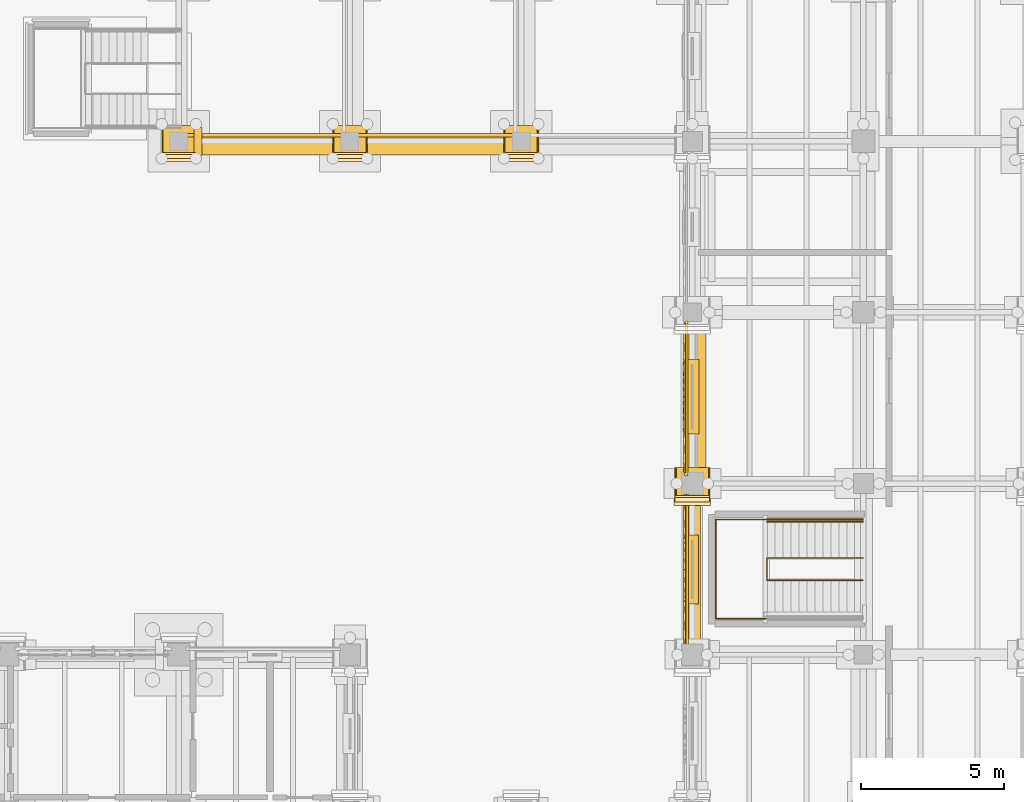
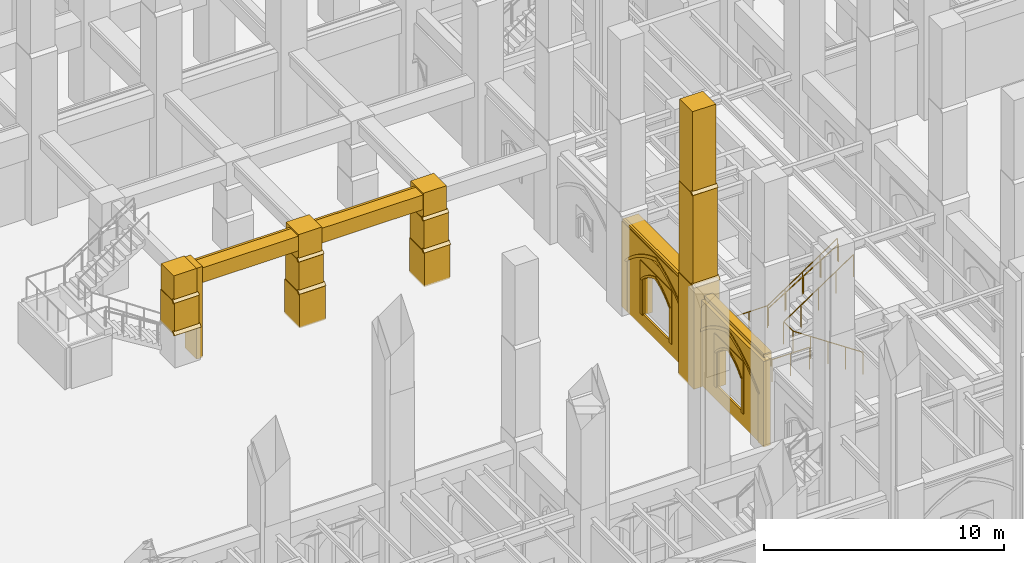
# One storey, part 84 of 135: 37 coverings, 4 railings.
"""IFC4 building model written with IfcOpenShell, lengths in metres."""

from ifc_helpers import new_model, si_unit, direction, frame, origin, origin_2d, place, context, subcontext, project, spatial, polyline, rectangle, circle, outline, extrude, material, type_object, element, save


model = new_model("IFC4")

# Units and contexts
model_context = context("Model", 3, precision=1e-05, world=origin(), true_north=direction((0.0, 1.0)))
body_context = subcontext(model_context, "Body", "Model", "MODEL_VIEW")
ifc_project = project(units=[si_unit("LENGTHUNIT", "METRE"), si_unit("AREAUNIT", "SQUARE_METRE"), si_unit("VOLUMEUNIT", "CUBIC_METRE"), si_unit("PLANEANGLEUNIT", "RADIAN"), si_unit("MASSUNIT", "GRAM", prefix="KILO")], contexts=[model_context])

# Site, building, storey
site_placement = place(None, origin())
site = spatial("IfcSite", under=ifc_project, at=site_placement, CompositionType="ELEMENT")
building_placement = place(site_placement, origin())
building = spatial("IfcBuilding", under=site, at=building_placement, Name="Cumevento Cable Car Station", CompositionType="ELEMENT")
storey_placement = place(building_placement, origin())
storey = spatial("IfcBuildingStorey", under=building, at=storey_placement, Name="L01", CompositionType="ELEMENT", Elevation=0.0)

# Railings
ifc_material_1 = material(Name="Painted Galvanised Architectural Steel", Category="steel")
railing_type_1 = type_object("IfcRailingType", Name="Stair Guardrail GR-S115", PredefinedType="GUARDRAIL", material=ifc_material_1)
railing_1_placement = place(storey_placement, frame((63.97998046875, 17.610107421875, 0.0)))
element("IfcRailing", 1, at=railing_1_placement, inside=storey, type_object=railing_type_1, Name="Stair Well Inner Guardrail ST-09", PredefinedType="GUARDRAIL", context=body_context, shape_type="SweptSolid", body=[
    extrude(circle(Radius=0.02392578125, at=origin_2d()), frame((0.0, 0.0, 1.1259765625), z_axis=(-0.830896709279, 0.0, 0.556426687452), x_axis=(0.0, -1.0, 0.0)), (0.0, 0.0, 1.0), 4.043701171875),
    extrude(circle(Radius=0.02392578125, at=origin_2d()), frame((-3.35986328125, 0.0, 3.3759765625), z_axis=(0.0, 1.0, 0.0), x_axis=(-1.0, 0.0, 0.0)), (0.0, 0.0, 1.0), 0.77978515625),
    extrude(circle(Radius=0.02392578125, at=origin_2d()), frame((-3.35986328125, 0.77978515625, 3.3759765625), z_axis=(0.830896709279, 0.0, 0.556426687452), x_axis=(0.0, 1.0, 0.0)), (0.0, 0.0, 1.0), 4.043701171875),
    extrude(circle(Radius=0.02001953125, at=origin_2d()), origin(), (0.0, 0.0, 1.0), 1.101806640625),
    extrude(circle(Radius=0.02001953125, at=origin_2d()), frame((-0.83984375, 0.0, 0.5625)), (0.0, 0.0, 1.0), 1.101806640625),
    extrude(circle(Radius=0.02001953125, at=origin_2d()), frame((-1.679931640625, 0.0, 1.125)), (0.0, 0.0, 1.0), 1.101806640625),
    extrude(circle(Radius=0.02001953125, at=origin_2d()), frame((-2.52001953125, 0.0, 1.6875)), (0.0, 0.0, 1.0), 1.101806640625),
    extrude(circle(Radius=0.02001953125, at=origin_2d()), frame((-3.35986328125, 0.0, 2.25)), (0.0, 0.0, 1.0), 1.101806640625),
    extrude(circle(Radius=0.02001953125, at=origin_2d()), frame((-3.35986328125, 0.77978515625, 2.25)), (0.0, 0.0, 1.0), 1.101806640625),
    extrude(circle(Radius=0.02001953125, at=origin_2d()), frame((-2.52001953125, 0.77978515625, 2.8125)), (0.0, 0.0, 1.0), 1.101806640625),
    extrude(circle(Radius=0.02001953125, at=origin_2d()), frame((-1.679931640625, 0.77978515625, 3.375)), (0.0, 0.0, 1.0), 1.101806640625),
    extrude(circle(Radius=0.02001953125, at=origin_2d()), frame((-0.83984375, 0.77978515625, 3.9375)), (0.0, 0.0, 1.0), 1.101806640625),
    extrude(circle(Radius=0.02001953125, at=origin_2d()), frame((0.0, 0.77978515625, 4.5)), (0.0, 0.0, 1.0), 1.101806640625),
])
railing_2_placement = place(storey_placement, frame((60.6201171875, 16.260009765625, 2.25)))
element("IfcRailing", 2, at=railing_2_placement, inside=storey, type_object=railing_type_1, Name="Stair Half-Landing Guardrail ST-09", PredefinedType="GUARDRAIL", context=body_context, shape_type="SweptSolid", body=[
    extrude(circle(Radius=0.02392578125, at=origin_2d()), frame((0.0, 0.0, 1.1259765625), z_axis=(-1.0, 0.0, 0.0), x_axis=(0.0, -1.0, 0.0)), (0.0, 0.0, 1.0), 1.800048828125),
    extrude(circle(Radius=0.02392578125, at=origin_2d()), frame((-1.800048828125, 0.0, 1.1259765625), z_axis=(0.0, 1.0, 0.0), x_axis=(-1.0, 0.0, 0.0)), (0.0, 0.0, 1.0), 3.47998046875),
    extrude(circle(Radius=0.02392578125, at=origin_2d()), frame((-1.800048828125, 3.47998046875, 1.1259765625), z_axis=(1.0, 0.0, 0.0), x_axis=(0.0, 1.0, 0.0)), (0.0, 0.0, 1.0), 1.800048828125),
    extrude(circle(Radius=0.02001953125, at=origin_2d()), origin(), (0.0, 0.0, 1.0), 1.101806640625),
    extrude(circle(Radius=0.02001953125, at=origin_2d()), frame((-0.89990234375, 0.0, 0.0)), (0.0, 0.0, 1.0), 1.101806640625),
    extrude(circle(Radius=0.02001953125, at=origin_2d()), frame((-1.800048828125, 0.0, 0.0)), (0.0, 0.0, 1.0), 1.101806640625),
    extrude(circle(Radius=0.02001953125, at=origin_2d()), frame((-1.800048828125, 0.8701171875, 0.0)), (0.0, 0.0, 1.0), 1.101806640625),
    extrude(circle(Radius=0.02001953125, at=origin_2d()), frame((-1.800048828125, 1.739990234375, 0.0)), (0.0, 0.0, 1.0), 1.101806640625),
    extrude(circle(Radius=0.02001953125, at=origin_2d()), frame((-1.800048828125, 2.60986328125, 0.0)), (0.0, 0.0, 1.0), 1.101806640625),
    extrude(circle(Radius=0.02001953125, at=origin_2d()), frame((-1.800048828125, 3.47998046875, 0.0)), (0.0, 0.0, 1.0), 1.101806640625),
    extrude(circle(Radius=0.02001953125, at=origin_2d()), frame((-0.89990234375, 3.47998046875, 0.0)), (0.0, 0.0, 1.0), 1.101806640625),
    extrude(circle(Radius=0.02001953125, at=origin_2d()), frame((0.0, 3.47998046875, 0.0)), (0.0, 0.0, 1.0), 1.101806640625),
])
railing_3_placement = place(storey_placement, frame((60.6201171875, 19.739990234375, 2.25)))
element("IfcRailing", 3, at=railing_3_placement, inside=storey, type_object=railing_type_1, Name="Stair Outer Guardrail ST-09 F2", PredefinedType="GUARDRAIL", context=body_context, shape_type="SweptSolid", body=[
    extrude(circle(Radius=0.02392578125, at=origin_2d()), frame((0.0, 0.0, 1.1259765625), z_axis=(0.830896709279, 0.0, 0.556426687452), x_axis=(0.0, 1.0, 0.0)), (0.0, 0.0, 1.0), 4.043701171875),
    extrude(circle(Radius=0.02001953125, at=origin_2d()), origin(), (0.0, 0.0, 1.0), 1.101806640625),
    extrude(circle(Radius=0.02001953125, at=origin_2d()), frame((0.83984375, 0.0, 0.5625)), (0.0, 0.0, 1.0), 1.101806640625),
    extrude(circle(Radius=0.02001953125, at=origin_2d()), frame((1.679931640625, 0.0, 1.125)), (0.0, 0.0, 1.0), 1.101806640625),
    extrude(circle(Radius=0.02001953125, at=origin_2d()), frame((2.52001953125, 0.0, 1.6875)), (0.0, 0.0, 1.0), 1.101806640625),
    extrude(circle(Radius=0.02001953125, at=origin_2d()), frame((3.35986328125, 0.0, 2.25)), (0.0, 0.0, 1.0), 1.101806640625),
])
ifc_material_2 = material(Name="Brushed Stainless Steel Handrail Tube", Category="steel")
railing_type_2 = type_object("IfcRailingType", Name="Stair Handrail HR-090", PredefinedType="HANDRAIL", material=ifc_material_2)
railing_4_placement = place(storey_placement, frame((60.6201171875, 19.659912109375, 2.42626953125)))
element("IfcRailing", 4, at=railing_4_placement, inside=storey, type_object=railing_type_2, Name="Stair Pitch Handrail ST-09 F2", PredefinedType="HANDRAIL", context=body_context, shape_type="SweptSolid", body=[
    extrude(circle(Radius=0.02099609375, at=origin_2d()), frame((0.0, 0.0, 0.87890625), z_axis=(0.850606129759, 0.0, 0.525803396734), x_axis=(0.0, 1.0, 0.0)), (0.0, 0.0, 1.0), 3.949951171875),
    extrude(circle(Radius=0.01611328125, at=origin_2d()), origin(), (0.0, 0.0, 1.0), 0.85791015625),
    extrude(circle(Radius=0.01611328125, at=origin_2d()), frame((0.83984375, 0.0, 0.519287109375)), (0.0, 0.0, 1.0), 0.85791015625),
    extrude(circle(Radius=0.01611328125, at=origin_2d()), frame((1.679931640625, 0.0, 1.03857421875)), (0.0, 0.0, 1.0), 0.85791015625),
    extrude(circle(Radius=0.01611328125, at=origin_2d()), frame((2.52001953125, 0.0, 1.5576171875)), (0.0, 0.0, 1.0), 0.85791015625),
    extrude(circle(Radius=0.01611328125, at=origin_2d()), frame((3.35986328125, 0.0, 2.076904296875)), (0.0, 0.0, 1.0), 0.85791015625),
])

# Coverings
ifc_material_3 = material(Name="Gnaisse Facoidal Stone Ashlar 85 MPa", Category="masonry")
covering_type = type_object("IfcCoveringType", Name="Gnaisse Ashlar Cladding CV-CL01", PredefinedType="CLADDING", material=ifc_material_3)
covering_1_placement = place(storey_placement, frame((39.360107421875, 32.300048828125, 1.675537109375), z_axis=(0.0, -0.714474823669, 0.699661151089), x_axis=(1.0, 0.0, 0.0)))
element("IfcCovering", 5, at=covering_1_placement, inside=storey, type_object=covering_type, Name="Gothic Buttress Sloped Stone Weathering 1 bt:40.0:33.0", PredefinedType="CLADDING", context=body_context, shape_type="SweptSolid", body=[
    extrude(outline(polyline([(0.0, 0.0), (1.27978515625, 0.0), (1.27978515625, 0.21424991728737658), (0.0, 0.21424991728737658), (0.0, 0.0)])), origin(), (0.0, 0.0, -1.0), 0.090087890625),
])
covering_2_placement = place(storey_placement, frame((40.0, 32.989990234375, 1.603271484375), z_axis=(0.0, 0.0, 1.0), x_axis=(1.0, 0.0, 0.0)))
element("IfcCovering", 6, at=covering_2_placement, inside=storey, type_object=covering_type, Name="Stepped Gothic Stone Buttress Tier 2 bt:40.0:33.0", PredefinedType="CLADDING", context=body_context, shape_type="SweptSolid", body=[
    extrude(rectangle(XDim=1.179931640625, YDim=1.139892578125, at=origin_2d()), origin(), (0.0, 0.0, 1.0), 1.6630859375),
])
covering_3_placement = place(storey_placement, frame((39.389892578125, 32.39990234375, 3.246337890625), z_axis=(0.0, -0.715574205881, 0.698536724788), x_axis=(1.0, 0.0, 0.0)))
element("IfcCovering", 7, at=covering_3_placement, inside=storey, type_object=covering_type, Name="Gothic Buttress Sloped Stone Weathering 2 bt:40.0:33.0", PredefinedType="CLADDING", context=body_context, shape_type="SweptSolid", body=[
    extrude(outline(polyline([(0.0, 0.0), (1.22021484375, 0.0), (1.22021484375, 0.2006146760464928), (0.0, 0.2006146760464928), (0.0, 0.0)])), origin(), (0.0, 0.0, -1.0), 0.090087890625),
])
covering_4_placement = place(storey_placement, frame((40.0, 33.034912109375, 3.173828125), z_axis=(0.0, 0.0, 1.0), x_axis=(1.0, 0.0, 0.0)))
element("IfcCovering", 8, at=covering_4_placement, inside=storey, type_object=covering_type, Name="Stepped Gothic Stone Buttress Tier 3 bt:40.0:33.0", PredefinedType="CLADDING", context=body_context, shape_type="SweptSolid", body=[
    extrude(rectangle(XDim=1.1201171875, YDim=1.050048828125, at=origin_2d()), origin(), (0.0, 0.0, 1.0), 1.385986328125),
])
covering_5_placement = place(storey_placement, frame((40.679931640625, 33.0, -0.06005859375), z_axis=(0.0, 0.0, 1.0), x_axis=(1.0, 0.0, 0.0)))
element("IfcCovering", 9, at=covering_5_placement, inside=storey, type_object=covering_type, Name="Corner Buttress Stone Return (40.0,33.0)", PredefinedType="CLADDING", context=body_context, shape_type="SweptSolid", body=[
    extrude(rectangle(XDim=0.280029296875, YDim=0.97998046875, at=origin_2d()), origin(), (0.0, 0.0, 1.0), 4.6201171875),
])
covering_6_placement = place(storey_placement, frame((46.0, 32.93994140625, -0.06005859375), z_axis=(0.0, 0.0, 1.0), x_axis=(1.0, 0.0, 0.0)))
element("IfcCovering", 10, at=covering_6_placement, inside=storey, type_object=covering_type, Name="Stepped Gothic Stone Buttress Tier 1 bt:46.0:33.0", PredefinedType="CLADDING", context=body_context, shape_type="SweptSolid", body=[
    extrude(rectangle(XDim=1.239990234375, YDim=1.239990234375, at=origin_2d()), origin(), (0.0, 0.0, 1.0), 1.755615234375),
])
covering_7_placement = place(storey_placement, frame((45.360107421875, 32.300048828125, 1.675537109375), z_axis=(0.0, -0.714474823669, 0.699661151089), x_axis=(1.0, 0.0, 0.0)))
element("IfcCovering", 11, at=covering_7_placement, inside=storey, type_object=covering_type, Name="Gothic Buttress Sloped Stone Weathering 1 bt:46.0:33.0", PredefinedType="CLADDING", context=body_context, shape_type="SweptSolid", body=[
    extrude(outline(polyline([(0.0, 0.0), (1.27978515625, 0.0), (1.27978515625, 0.21424991728737658), (0.0, 0.21424991728737658), (0.0, 0.0)])), origin(), (0.0, 0.0, -1.0), 0.090087890625),
])
covering_8_placement = place(storey_placement, frame((46.0, 32.989990234375, 1.603271484375), z_axis=(0.0, 0.0, 1.0), x_axis=(1.0, 0.0, 0.0)))
element("IfcCovering", 12, at=covering_8_placement, inside=storey, type_object=covering_type, Name="Stepped Gothic Stone Buttress Tier 2 bt:46.0:33.0", PredefinedType="CLADDING", context=body_context, shape_type="SweptSolid", body=[
    extrude(rectangle(XDim=1.179931640625, YDim=1.139892578125, at=origin_2d()), origin(), (0.0, 0.0, 1.0), 1.6630859375),
])
covering_9_placement = place(storey_placement, frame((45.389892578125, 32.39990234375, 3.246337890625), z_axis=(0.0, -0.715574205881, 0.698536724788), x_axis=(1.0, 0.0, 0.0)))
element("IfcCovering", 13, at=covering_9_placement, inside=storey, type_object=covering_type, Name="Gothic Buttress Sloped Stone Weathering 2 bt:46.0:33.0", PredefinedType="CLADDING", context=body_context, shape_type="SweptSolid", body=[
    extrude(outline(polyline([(0.0, 0.0), (1.22021484375, 0.0), (1.22021484375, 0.2006146760464928), (0.0, 0.2006146760464928), (0.0, 0.0)])), origin(), (0.0, 0.0, -1.0), 0.090087890625),
])
covering_10_placement = place(storey_placement, frame((46.0, 33.034912109375, 3.173828125), z_axis=(0.0, 0.0, 1.0), x_axis=(1.0, 0.0, 0.0)))
element("IfcCovering", 14, at=covering_10_placement, inside=storey, type_object=covering_type, Name="Stepped Gothic Stone Buttress Tier 3 bt:46.0:33.0", PredefinedType="CLADDING", context=body_context, shape_type="SweptSolid", body=[
    extrude(rectangle(XDim=1.1201171875, YDim=1.050048828125, at=origin_2d()), origin(), (0.0, 0.0, 1.0), 1.385986328125),
])
covering_11_placement = place(storey_placement, frame((52.0, 32.93994140625, -0.06005859375), z_axis=(0.0, 0.0, 1.0), x_axis=(1.0, 0.0, 0.0)))
element("IfcCovering", 15, at=covering_11_placement, inside=storey, type_object=covering_type, Name="Stepped Gothic Stone Buttress Tier 1 bt:52.0:33.0", PredefinedType="CLADDING", context=body_context, shape_type="SweptSolid", body=[
    extrude(rectangle(XDim=1.239990234375, YDim=1.239990234375, at=origin_2d()), origin(), (0.0, 0.0, 1.0), 1.755615234375),
])
covering_12_placement = place(storey_placement, frame((51.360107421875, 32.300048828125, 1.675537109375), z_axis=(0.0, -0.714474823669, 0.699661151089), x_axis=(1.0, 0.0, 0.0)))
element("IfcCovering", 16, at=covering_12_placement, inside=storey, type_object=covering_type, Name="Gothic Buttress Sloped Stone Weathering 1 bt:52.0:33.0", PredefinedType="CLADDING", context=body_context, shape_type="SweptSolid", body=[
    extrude(outline(polyline([(0.0, 0.0), (1.27978515625, 0.0), (1.27978515625, 0.21424991728737658), (0.0, 0.21424991728737658), (0.0, 0.0)])), origin(), (0.0, 0.0, -1.0), 0.090087890625),
])
covering_13_placement = place(storey_placement, frame((52.0, 32.989990234375, 1.603271484375), z_axis=(0.0, 0.0, 1.0), x_axis=(1.0, 0.0, 0.0)))
element("IfcCovering", 17, at=covering_13_placement, inside=storey, type_object=covering_type, Name="Stepped Gothic Stone Buttress Tier 2 bt:52.0:33.0", PredefinedType="CLADDING", context=body_context, shape_type="SweptSolid", body=[
    extrude(rectangle(XDim=1.179931640625, YDim=1.139892578125, at=origin_2d()), origin(), (0.0, 0.0, 1.0), 1.6630859375),
])
covering_14_placement = place(storey_placement, frame((51.389892578125, 32.39990234375, 3.246337890625), z_axis=(0.0, -0.715574205881, 0.698536724788), x_axis=(1.0, 0.0, 0.0)))
element("IfcCovering", 18, at=covering_14_placement, inside=storey, type_object=covering_type, Name="Gothic Buttress Sloped Stone Weathering 2 bt:52.0:33.0", PredefinedType="CLADDING", context=body_context, shape_type="SweptSolid", body=[
    extrude(outline(polyline([(0.0, 0.0), (1.22021484375, 0.0), (1.22021484375, 0.2006146760464928), (0.0, 0.2006146760464928), (0.0, 0.0)])), origin(), (0.0, 0.0, -1.0), 0.090087890625),
])
covering_15_placement = place(storey_placement, frame((52.0, 33.034912109375, 3.173828125), z_axis=(0.0, 0.0, 1.0), x_axis=(1.0, 0.0, 0.0)))
element("IfcCovering", 19, at=covering_15_placement, inside=storey, type_object=covering_type, Name="Stepped Gothic Stone Buttress Tier 3 bt:52.0:33.0", PredefinedType="CLADDING", context=body_context, shape_type="SweptSolid", body=[
    extrude(rectangle(XDim=1.1201171875, YDim=1.050048828125, at=origin_2d()), origin(), (0.0, 0.0, 1.0), 1.385986328125),
])
covering_16_placement = place(storey_placement, frame((58.0, 20.909912109375, -0.06005859375), z_axis=(0.0, 0.0, 1.0), x_axis=(1.0, 0.0, 0.0)))
element("IfcCovering", 20, at=covering_16_placement, inside=storey, type_object=covering_type, Name="Stepped Gothic Stone Buttress Tier 1 bt:58.0:21.0", PredefinedType="CLADDING", context=body_context, shape_type="SweptSolid", body=[
    extrude(rectangle(XDim=1.239990234375, YDim=1.300048828125, at=origin_2d()), origin(), (0.0, 0.0, 1.0), 5.175537109375),
])
covering_17_placement = place(storey_placement, frame((57.360107421875, 20.239990234375, 5.095703125), z_axis=(0.0, -0.711135781079, 0.703054692658), x_axis=(1.0, 0.0, 0.0)))
element("IfcCovering", 21, at=covering_17_placement, inside=storey, type_object=covering_type, Name="Gothic Buttress Sloped Stone Weathering 1 bt:58.0:21.0", PredefinedType="CLADDING", context=body_context, shape_type="SweptSolid", body=[
    extrude(outline(polyline([(0.0, 0.0), (1.27978515625, 0.0), (1.27978515625, 0.24169083397703695), (0.0, 0.24169083397703695), (0.0, 0.0)])), origin(), (0.0, 0.0, -1.0), 0.090087890625),
])
covering_18_placement = place(storey_placement, frame((58.0, 20.969970703125, 4.84326171875), z_axis=(0.0, 0.0, 1.0), x_axis=(1.0, 0.0, 0.0)))
element("IfcCovering", 22, at=covering_18_placement, inside=storey, type_object=covering_type, Name="Stepped Gothic Stone Buttress Tier 2 bt:58.0:21.0", PredefinedType="CLADDING", context=body_context, shape_type="SweptSolid", body=[
    extrude(rectangle(XDim=1.179931640625, YDim=1.179931640625, at=origin_2d()), origin(), (0.0, 0.0, 1.0), 4.9033203125),
])
covering_19_placement = place(storey_placement, frame((57.389892578125, 20.360107421875, 9.726318359375), z_axis=(0.0, -0.714474823669, 0.699661151089), x_axis=(1.0, 0.0, 0.0)))
element("IfcCovering", 23, at=covering_19_placement, inside=storey, type_object=covering_type, Name="Gothic Buttress Sloped Stone Weathering 2 bt:58.0:21.0", PredefinedType="CLADDING", context=body_context, shape_type="SweptSolid", body=[
    extrude(outline(polyline([(0.0, 0.0), (1.22021484375, 0.0), (1.22021484375, 0.21424991728737655), (0.0, 0.21424991728737655), (0.0, 0.0)])), origin(), (0.0, 0.0, -1.0), 0.090087890625),
])
covering_20_placement = place(storey_placement, frame((58.0, 21.02001953125, 9.47412109375), z_axis=(0.0, 0.0, 1.0), x_axis=(1.0, 0.0, 0.0)))
element("IfcCovering", 24, at=covering_20_placement, inside=storey, type_object=covering_type, Name="Stepped Gothic Stone Buttress Tier 3 bt:58.0:21.0", PredefinedType="CLADDING", context=body_context, shape_type="SweptSolid", body=[
    extrude(rectangle(XDim=1.1201171875, YDim=1.080078125, at=origin_2d()), origin(), (0.0, 0.0, 1.0), 4.426025390625),
])
covering_21_placement = place(storey_placement, frame((58.090087890625, 17.987548828125, 3.784912109375), z_axis=(0.0, 0.0, 1.0), x_axis=(0.0, 1.0, 0.0)))
element("IfcCovering", 25, at=covering_21_placement, inside=storey, type_object=covering_type, Name="Gothic Stone Spandrel Stringcourse sc:0031", PredefinedType="CLADDING", context=body_context, shape_type="SweptSolid", body=[
    extrude(rectangle(XDim=5.284912109375, YDim=0.3798828125, at=origin_2d()), origin(), (0.0, 0.0, 1.0), 0.7470703125),
])
covering_22_placement = place(storey_placement, frame((58.14990234375, 24.03759765625, 3.784912109375), z_axis=(0.0, 0.0, 1.0), x_axis=(0.0, 1.0, 0.0)))
element("IfcCovering", 26, at=covering_22_placement, inside=storey, type_object=covering_type, Name="Gothic Stone Spandrel Stringcourse sc:0032", PredefinedType="CLADDING", context=body_context, shape_type="SweptSolid", body=[
    extrude(rectangle(XDim=5.514892578125, YDim=0.659912109375, at=origin_2d()), origin(), (0.0, 0.0, 1.0), 0.7470703125),
])
covering_23_placement = place(storey_placement, frame((57.79248046875, 24.03759765625, 4.402099609375), z_axis=(0.0, 0.0, 1.0), x_axis=(0.0, 1.0, 0.0)))
element("IfcCovering", 27, at=covering_23_placement, inside=storey, type_object=covering_type, Name="Gothic Cornice Dripstone Lip sc:0032", PredefinedType="CLADDING", context=body_context, shape_type="SweptSolid", body=[
    extrude(rectangle(XDim=5.554931640625, YDim=0.114990234375, at=origin_2d()), origin(), (0.0, 0.0, 1.0), 0.1298828125),
])
covering_24_placement = place(storey_placement, frame((43.0, 32.85009765625, 3.73291015625), z_axis=(0.0, 0.0, 1.0), x_axis=(1.0, 0.0, 0.0)))
element("IfcCovering", 28, at=covering_24_placement, inside=storey, type_object=covering_type, Name="Gothic Stone Spandrel Stringcourse sc:0824", PredefinedType="CLADDING", context=body_context, shape_type="SweptSolid", body=[
    extrude(rectangle(XDim=5.590087890625, YDim=0.659912109375, at=origin_2d()), origin(), (0.0, 0.0, 1.0), 0.7470703125),
])
covering_25_placement = place(storey_placement, frame((43.0, 33.20751953125, 4.35009765625), z_axis=(0.0, 0.0, 1.0), x_axis=(1.0, 0.0, 0.0)))
element("IfcCovering", 29, at=covering_25_placement, inside=storey, type_object=covering_type, Name="Gothic Cornice Dripstone Lip sc:0824", PredefinedType="CLADDING", context=body_context, shape_type="SweptSolid", body=[
    extrude(rectangle(XDim=5.6298828125, YDim=0.114990234375, at=origin_2d()), origin(), (0.0, 0.0, 1.0), 0.1298828125),
])
covering_26_placement = place(storey_placement, frame((49.0, 32.85009765625, 3.73291015625), z_axis=(0.0, 0.0, 1.0), x_axis=(1.0, 0.0, 0.0)))
element("IfcCovering", 30, at=covering_26_placement, inside=storey, type_object=covering_type, Name="Gothic Stone Spandrel Stringcourse sc:0825", PredefinedType="CLADDING", context=body_context, shape_type="SweptSolid", body=[
    extrude(rectangle(XDim=5.590087890625, YDim=0.659912109375, at=origin_2d()), origin(), (0.0, 0.0, 1.0), 0.7470703125),
])
covering_27_placement = place(storey_placement, frame((49.0, 33.20751953125, 4.35009765625), z_axis=(0.0, 0.0, 1.0), x_axis=(1.0, 0.0, 0.0)))
element("IfcCovering", 31, at=covering_27_placement, inside=storey, type_object=covering_type, Name="Gothic Cornice Dripstone Lip sc:0825", PredefinedType="CLADDING", context=body_context, shape_type="SweptSolid", body=[
    extrude(rectangle(XDim=5.6298828125, YDim=0.114990234375, at=origin_2d()), origin(), (0.0, 0.0, 1.0), 0.1298828125),
])
covering_28_placement = place(storey_placement, frame((58.0, 15.375, 0.0), z_axis=(0.0, 0.0, 1.0), x_axis=(0.0, 1.0, 0.0)))
element("IfcCovering", 32, at=covering_28_placement, inside=storey, type_object=covering_type, Name="Exterior Gnaisse Stone Wall Ashlar #128", PredefinedType="CLADDING", context=body_context, shape_type="SweptSolid", body=[
    extrude(outline(polyline([(-0.0400390625, -0.02001953125), (5.264892578125, -0.02001953125), (5.264892578125, 3.864990234375), (-0.0400390625, 3.864990234375), (-0.0400390625, -0.02001953125)]), holes=[polyline([(1.597412109375, 0.7099609375), (3.62744140625, 0.7099609375), (3.62744140625, 3.090087890625), (1.597412109375, 3.090087890625), (1.597412109375, 0.7099609375)])]), frame((0.0, 0.222412109375, 0.0), z_axis=(0.0, -1.0, 0.0), x_axis=(1.0, 0.0, 0.0)), (0.0, 0.0, 1.0), 0.0849609375),
])
covering_29_placement = place(storey_placement, frame((58.0, 16.822509765625, 0.64990234375), z_axis=(0.0, 0.0, 1.0), x_axis=(0.0, 1.0, 0.0)))
element("IfcCovering", 33, at=covering_29_placement, inside=storey, type_object=covering_type, Name="Gothic Ogival Pointed-Arch Stone Spandrel op_ogival:0128:1", PredefinedType="CLADDING", context=body_context, shape_type="SweptSolid", body=[
    extrude(outline(polyline([(-0.0400390625, 0.0), (-0.0400390625, 2.669921875), (2.3701171875, 2.669921875), (2.3701171875, 0.0), (2.18994140625, 0.0), (2.18994140625, 1.778076171875), (2.0703125, 1.913330078125), (1.9404296875, 2.03857421875), (1.80078125, 2.153076171875), (1.65234375, 2.256103515625), (1.496337890625, 2.3466796875), (1.33349609375, 2.425048828125), (1.1650390625, 2.489990234375), (0.99658203125, 2.425048828125), (0.833740234375, 2.3466796875), (0.677734375, 2.256103515625), (0.529296875, 2.153076171875), (0.3896484375, 2.03857421875), (0.259765625, 1.913330078125), (0.139892578125, 1.778076171875), (0.139892578125, 0.0), (-0.0400390625, 0.0)])), frame((0.0, 0.260498046875, 0.0), z_axis=(0.0, -1.0, 0.0), x_axis=(1.0, 0.0, 0.0)), (0.0, 0.0, 1.0), 0.47509765625),
])
covering_30_placement = place(storey_placement, frame((58.0, 16.822509765625, 2.427978515625), z_axis=(0.0, 0.0, 1.0), x_axis=(0.0, 1.0, 0.0)))
element("IfcCovering", 34, at=covering_30_placement, inside=storey, type_object=covering_type, Name="Gothic Pointed Archivolt Hood Moulding op_ogival:0128:1", PredefinedType="CLADDING", context=body_context, shape_type="SweptSolid", body=[
    extrude(outline(polyline([(0.139892578125, 0.0), (0.259765625, 0.13525390625), (0.3896484375, 0.260498046875), (0.529296875, 0.375), (0.677734375, 0.47802734375), (0.833740234375, 0.56884765625), (0.99658203125, 0.64697265625), (1.1650390625, 0.7119140625), (1.33349609375, 0.64697265625), (1.496337890625, 0.56884765625), (1.65234375, 0.47802734375), (1.80078125, 0.375), (1.9404296875, 0.260498046875), (2.0703125, 0.13525390625), (2.18994140625, 0.0), (2.2890625, 0.0), (2.16162109375, 0.157958984375), (2.021240234375, 0.304443359375), (1.869140625, 0.43896484375), (1.706298828125, 0.56005859375), (1.533935546875, 0.6669921875), (1.35302734375, 0.759033203125), (1.1650390625, 0.835693359375), (0.97705078125, 0.759033203125), (0.796142578125, 0.6669921875), (0.623779296875, 0.56005859375), (0.4609375, 0.43896484375), (0.308837890625, 0.304443359375), (0.16845703125, 0.157958984375), (0.041015625, 0.0), (0.139892578125, 0.0)])), frame((0.0, 0.302490234375, 0.0), z_axis=(0.0, -1.0, 0.0), x_axis=(1.0, 0.0, 0.0)), (0.0, 0.0, 1.0), 0.06689453125),
])
covering_31_placement = place(storey_placement, frame((58.0, 21.39990234375, 0.0), z_axis=(0.0, 0.0, 1.0), x_axis=(0.0, 1.0, 0.0)))
element("IfcCovering", 35, at=covering_31_placement, inside=storey, type_object=covering_type, Name="Exterior Gnaisse Stone Wall Ashlar #130", PredefinedType="CLADDING", context=body_context, shape_type="SweptSolid", body=[
    extrude(outline(polyline([(-0.0400390625, -0.02001953125), (5.31494140625, -0.02001953125), (5.31494140625, 3.864990234375), (-0.0400390625, 3.864990234375), (-0.0400390625, -0.02001953125)]), holes=[polyline([(1.5224609375, 0.659912109375), (3.75244140625, 0.659912109375), (3.75244140625, 3.090087890625), (1.5224609375, 3.090087890625), (1.5224609375, 0.659912109375)])]), frame((0.0, 0.237548828125, 0.0), z_axis=(0.0, -1.0, 0.0), x_axis=(1.0, 0.0, 0.0)), (0.0, 0.0, 1.0), 0.0849609375),
])
covering_32_placement = place(storey_placement, frame((58.0, 22.7724609375, 0.60009765625), z_axis=(0.0, 0.0, 1.0), x_axis=(0.0, 1.0, 0.0)))
element("IfcCovering", 36, at=covering_32_placement, inside=storey, type_object=covering_type, Name="Gothic Ogival Pointed-Arch Stone Spandrel op_ogival:0130:1", PredefinedType="CLADDING", context=body_context, shape_type="SweptSolid", body=[
    extrude(outline(polyline([(-0.0400390625, 0.0), (-0.0400390625, 2.719970703125), (2.570068359375, 2.719970703125), (2.570068359375, 0.0), (2.389892578125, 0.0), (2.389892578125, 1.820068359375), (2.254638671875, 1.957763671875), (2.109619140625, 2.084716796875), (1.955322265625, 2.20068359375), (1.792724609375, 2.3046875), (1.622802734375, 2.396240234375), (1.446533203125, 2.474853515625), (1.264892578125, 2.5400390625), (1.08349609375, 2.474853515625), (0.9072265625, 2.396240234375), (0.7373046875, 2.3046875), (0.57470703125, 2.20068359375), (0.42041015625, 2.084716796875), (0.275390625, 1.957763671875), (0.139892578125, 1.820068359375), (0.139892578125, 0.0), (-0.0400390625, 0.0)])), frame((0.0, 0.275390625, 0.0), z_axis=(0.0, -1.0, 0.0), x_axis=(1.0, 0.0, 0.0)), (0.0, 0.0, 1.0), 0.5048828125),
])
covering_33_placement = place(storey_placement, frame((58.0, 22.7724609375, 2.419921875), z_axis=(0.0, 0.0, 1.0), x_axis=(0.0, 1.0, 0.0)))
element("IfcCovering", 37, at=covering_33_placement, inside=storey, type_object=covering_type, Name="Gothic Pointed Archivolt Hood Moulding op_ogival:0130:1", PredefinedType="CLADDING", context=body_context, shape_type="SweptSolid", body=[
    extrude(outline(polyline([(0.139892578125, 0.0), (0.275390625, 0.1376953125), (0.42041015625, 0.2646484375), (0.57470703125, 0.380615234375), (0.7373046875, 0.484619140625), (0.9072265625, 0.576171875), (1.08349609375, 0.65478515625), (1.264892578125, 0.719970703125), (1.446533203125, 0.65478515625), (1.622802734375, 0.576171875), (1.792724609375, 0.484619140625), (1.955322265625, 0.380615234375), (2.109619140625, 0.2646484375), (2.254638671875, 0.1376953125), (2.389892578125, 0.0), (2.489013671875, 0.0), (2.345703125, 0.160400390625), (2.190185546875, 0.308837890625), (2.023193359375, 0.444580078125), (1.84619140625, 0.566650390625), (1.659912109375, 0.67431640625), (1.4658203125, 0.766845703125), (1.264892578125, 0.84375), (1.064208984375, 0.766845703125), (0.8701171875, 0.67431640625), (0.683837890625, 0.566650390625), (0.5068359375, 0.444580078125), (0.33984375, 0.308837890625), (0.184326171875, 0.160400390625), (0.041015625, 0.0), (0.139892578125, 0.0)])), frame((0.0, 0.3173828125, 0.0), z_axis=(0.0, -1.0, 0.0), x_axis=(1.0, 0.0, 0.0)), (0.0, 0.0, 1.0), 0.06689453125),
])
covering_34_placement = place(storey_placement, frame((58.0, 15.35009765625, 0.0), z_axis=(0.0, 0.0, 1.0), x_axis=(0.0, 1.0, 0.0)))
element("IfcCovering", 38, at=covering_34_placement, inside=storey, type_object=covering_type, Name="Gothic Ogival Pointed-Arch Stone Spandrel cloister_arcade:W:15", PredefinedType="CLADDING", context=body_context, shape_type="SweptSolid", body=[
    extrude(outline(polyline([(-0.25, 0.0), (-0.25, 4.35009765625), (5.550048828125, 4.35009765625), (5.550048828125, 0.0), (5.1201171875, 0.0), (5.1201171875, 2.550048828125), (4.85791015625, 2.80615234375), (4.580078125, 3.044921875), (4.287841796875, 3.265869140625), (3.98193359375, 3.467529296875), (3.6640625, 3.649658203125), (3.335205078125, 3.81103515625), (2.996826171875, 3.951416015625), (2.64990234375, 4.070068359375), (2.30322265625, 3.951416015625), (1.96484375, 3.81103515625), (1.635986328125, 3.649658203125), (1.318115234375, 3.467529296875), (1.01220703125, 3.265869140625), (0.719970703125, 3.044921875), (0.442138671875, 2.80615234375), (0.179931640625, 2.550048828125), (0.179931640625, 0.0), (-0.25, 0.0)])), frame((0.0, 0.260009765625, 0.0), z_axis=(0.0, -1.0, 0.0), x_axis=(1.0, 0.0, 0.0)), (0.0, 0.0, 1.0), 0.340087890625),
])
covering_35_placement = place(storey_placement, frame((58.0, 15.35009765625, 2.550048828125), z_axis=(0.0, 0.0, 1.0), x_axis=(0.0, 1.0, 0.0)))
element("IfcCovering", 39, at=covering_35_placement, inside=storey, type_object=covering_type, Name="Gothic Pointed Archivolt Hood Moulding cloister_arcade:W:15", PredefinedType="CLADDING", context=body_context, shape_type="SweptSolid", body=[
    extrude(outline(polyline([(0.179931640625, 0.0), (0.442138671875, 0.256103515625), (0.719970703125, 0.494873046875), (1.01220703125, 0.7158203125), (1.318115234375, 0.91748046875), (1.635986328125, 1.099609375), (1.96484375, 1.260986328125), (2.30322265625, 1.4013671875), (2.64990234375, 1.52001953125), (2.996826171875, 1.4013671875), (3.335205078125, 1.260986328125), (3.6640625, 1.099609375), (3.98193359375, 0.91748046875), (4.287841796875, 0.7158203125), (4.580078125, 0.494873046875), (4.85791015625, 0.256103515625), (5.1201171875, 0.0), (5.260009765625, 0.0), (4.988037109375, 0.284423828125), (4.697998046875, 0.55029296875), (4.390625, 0.796142578125), (4.06787109375, 1.021484375), (3.73095703125, 1.224609375), (3.38134765625, 1.4052734375), (3.0205078125, 1.562255859375), (2.64990234375, 1.695068359375), (2.279541015625, 1.562255859375), (1.918701171875, 1.4052734375), (1.569091796875, 1.224609375), (1.232177734375, 1.021484375), (0.909423828125, 0.796142578125), (0.60205078125, 0.55029296875), (0.31201171875, 0.284423828125), (0.0400390625, 0.0), (0.179931640625, 0.0)])), frame((0.0, 0.302001953125, 0.0), z_axis=(0.0, -1.0, 0.0), x_axis=(1.0, 0.0, 0.0)), (0.0, 0.0, 1.0), 0.06689453125),
])
covering_36_placement = place(storey_placement, frame((58.0, 21.35009765625, 0.0), z_axis=(0.0, 0.0, 1.0), x_axis=(0.0, 1.0, 0.0)))
element("IfcCovering", 40, at=covering_36_placement, inside=storey, type_object=covering_type, Name="Gothic Ogival Pointed-Arch Stone Spandrel cloister_arcade:W:21", PredefinedType="CLADDING", context=body_context, shape_type="SweptSolid", body=[
    extrude(outline(polyline([(-0.25, 0.0), (-0.25, 4.35009765625), (5.550048828125, 4.35009765625), (5.550048828125, 0.0), (5.1201171875, 0.0), (5.1201171875, 2.550048828125), (4.85791015625, 2.80615234375), (4.580078125, 3.044921875), (4.287841796875, 3.265869140625), (3.98193359375, 3.467529296875), (3.6640625, 3.649658203125), (3.335205078125, 3.81103515625), (2.996826171875, 3.951416015625), (2.64990234375, 4.070068359375), (2.30322265625, 3.951416015625), (1.96484375, 3.81103515625), (1.635986328125, 3.649658203125), (1.318115234375, 3.467529296875), (1.01220703125, 3.265869140625), (0.719970703125, 3.044921875), (0.442138671875, 2.80615234375), (0.179931640625, 2.550048828125), (0.179931640625, 0.0), (-0.25, 0.0)])), frame((0.0, 0.260009765625, 0.0), z_axis=(0.0, -1.0, 0.0), x_axis=(1.0, 0.0, 0.0)), (0.0, 0.0, 1.0), 0.340087890625),
])
covering_37_placement = place(storey_placement, frame((58.0, 21.35009765625, 2.550048828125), z_axis=(0.0, 0.0, 1.0), x_axis=(0.0, 1.0, 0.0)))
element("IfcCovering", 41, at=covering_37_placement, inside=storey, type_object=covering_type, Name="Gothic Pointed Archivolt Hood Moulding cloister_arcade:W:21", PredefinedType="CLADDING", context=body_context, shape_type="SweptSolid", body=[
    extrude(outline(polyline([(0.179931640625, 0.0), (0.442138671875, 0.256103515625), (0.719970703125, 0.494873046875), (1.01220703125, 0.7158203125), (1.318115234375, 0.91748046875), (1.635986328125, 1.099609375), (1.96484375, 1.260986328125), (2.30322265625, 1.4013671875), (2.64990234375, 1.52001953125), (2.996826171875, 1.4013671875), (3.335205078125, 1.260986328125), (3.6640625, 1.099609375), (3.98193359375, 0.91748046875), (4.287841796875, 0.7158203125), (4.580078125, 0.494873046875), (4.85791015625, 0.256103515625), (5.1201171875, 0.0), (5.260009765625, 0.0), (4.988037109375, 0.284423828125), (4.697998046875, 0.55029296875), (4.390625, 0.796142578125), (4.06787109375, 1.021484375), (3.73095703125, 1.224609375), (3.38134765625, 1.4052734375), (3.0205078125, 1.562255859375), (2.64990234375, 1.695068359375), (2.279541015625, 1.562255859375), (1.918701171875, 1.4052734375), (1.569091796875, 1.224609375), (1.232177734375, 1.021484375), (0.909423828125, 0.796142578125), (0.60205078125, 0.55029296875), (0.31201171875, 0.284423828125), (0.0400390625, 0.0), (0.179931640625, 0.0)])), frame((0.0, 0.302001953125, 0.0), z_axis=(0.0, -1.0, 0.0), x_axis=(1.0, 0.0, 0.0)), (0.0, 0.0, 1.0), 0.06689453125),
])

save(model, "model.ifc")
